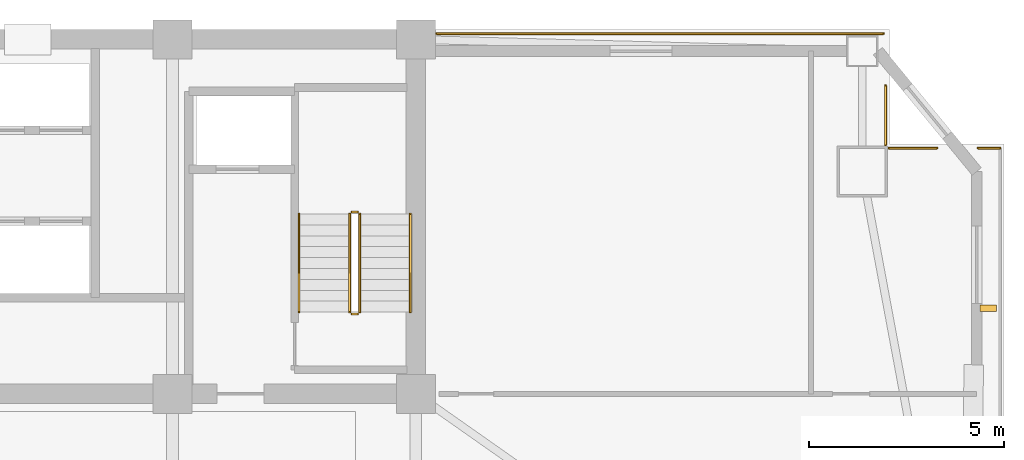
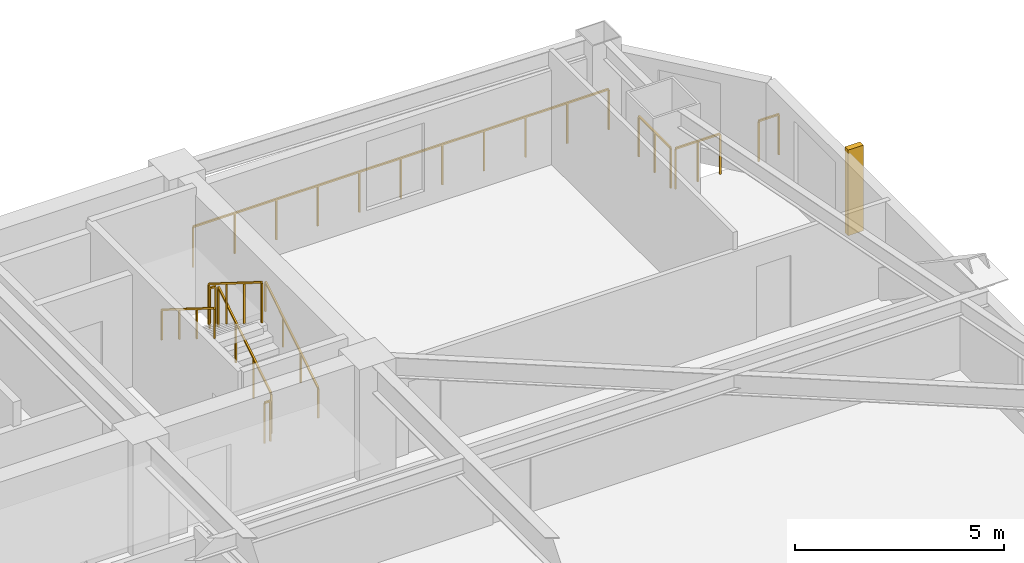
# One storey, part 15 of 15: 10 railings, 1 shading device.
"""IFC4 building model written with IfcOpenShell, lengths in metres."""

from ifc_helpers import new_model, si_unit, direction, frame, origin, origin_2d, place, context, subcontext, project, spatial, rectangle, extrude, source, transform, mapped, material, type_object, element, save


model = new_model("IFC4")

# Units and contexts
model_context = context("Model", 3, precision=1e-05, world=origin(), true_north=direction((0.0, 1.0)))
body_context = subcontext(model_context, "Body", "Model", "MODEL_VIEW")
ifc_project = project(units=[si_unit("LENGTHUNIT", "METRE"), si_unit("AREAUNIT", "SQUARE_METRE"), si_unit("VOLUMEUNIT", "CUBIC_METRE"), si_unit("PLANEANGLEUNIT", "RADIAN"), si_unit("MASSUNIT", "GRAM", prefix="KILO")], contexts=[model_context])

# Site, building, storey
site_placement = place(None, origin())
site = spatial("IfcSite", under=ifc_project, at=site_placement, CompositionType="ELEMENT")
building_placement = place(site_placement, origin())
building = spatial("IfcBuilding", under=site, at=building_placement, Name="Giltprow Tower", CompositionType="ELEMENT")
storey_placement = place(building_placement, frame((0.0, 0.0, 152.699951171875)))
storey = spatial("IfcBuildingStorey", under=building, at=storey_placement, Name="L37", CompositionType="ELEMENT", Elevation=152.699951171875)

# Railings
ifc_material = material(Name="Anodized bronze", Category="metal")
railing_type_1 = type_object("IfcRailingType", Name="RAIL-BALC-GUARD-1200", PredefinedType="BALUSTRADE", material=ifc_material)
railing_1_placement = place(storey_placement, frame((51.0849609375, 46.699951171875, 0.0)))
element("IfcRailing", 1, at=railing_1_placement, inside=storey, type_object=railing_type_1, Name="L37 Corner Apron Edge Balustrade 10", PredefinedType="BALUSTRADE", context=body_context, shape_type="SweptSolid", body=[
    extrude(rectangle(XDim=0.048095703125, YDim=0.048095703125, at=origin_2d()), frame((0.0, 0.0, 1.17578125), z_axis=(1.0, 0.0, 0.0), x_axis=(0.0, 1.0, 0.0)), (0.0, 0.0, 1.0), 11.465087890625),
    extrude(rectangle(XDim=0.0419921875, YDim=0.0419921875, at=origin_2d()), origin(), (0.0, 0.0, 1.0), 1.15185546875),
    extrude(rectangle(XDim=0.0419921875, YDim=0.0419921875, at=origin_2d()), frame((1.146484375, 0.0, 0.0)), (0.0, 0.0, 1.0), 1.15185546875),
    extrude(rectangle(XDim=0.0419921875, YDim=0.0419921875, at=origin_2d()), frame((2.29296875, 0.0, 0.0)), (0.0, 0.0, 1.0), 1.15185546875),
    extrude(rectangle(XDim=0.0419921875, YDim=0.0419921875, at=origin_2d()), frame((3.439453125, 0.0, 0.0)), (0.0, 0.0, 1.0), 1.15185546875),
    extrude(rectangle(XDim=0.0419921875, YDim=0.0419921875, at=origin_2d()), frame((4.5859375, 0.0, 0.0)), (0.0, 0.0, 1.0), 1.15185546875),
    extrude(rectangle(XDim=0.0419921875, YDim=0.0419921875, at=origin_2d()), frame((5.732421875, 0.0, 0.0)), (0.0, 0.0, 1.0), 1.15185546875),
    extrude(rectangle(XDim=0.0419921875, YDim=0.0419921875, at=origin_2d()), frame((6.879150390625, 0.0, 0.0)), (0.0, 0.0, 1.0), 1.15185546875),
    extrude(rectangle(XDim=0.0419921875, YDim=0.0419921875, at=origin_2d()), frame((8.025634765625, 0.0, 0.0)), (0.0, 0.0, 1.0), 1.15185546875),
    extrude(rectangle(XDim=0.0419921875, YDim=0.0419921875, at=origin_2d()), frame((9.172119140625, 0.0, 0.0)), (0.0, 0.0, 1.0), 1.15185546875),
    extrude(rectangle(XDim=0.0419921875, YDim=0.0419921875, at=origin_2d()), frame((10.318603515625, 0.0, 0.0)), (0.0, 0.0, 1.0), 1.15185546875),
    extrude(rectangle(XDim=0.0419921875, YDim=0.0419921875, at=origin_2d()), frame((11.465087890625, 0.0, 0.0)), (0.0, 0.0, 1.0), 1.15185546875),
])
railing_2_placement = place(storey_placement, frame((62.612060546875, 45.361083984375, 0.0)))
element("IfcRailing", 2, at=railing_2_placement, inside=storey, type_object=railing_type_1, Name="L37 Corner Apron Edge Balustrade 11", PredefinedType="BALUSTRADE", context=body_context, shape_type="SweptSolid", body=[
    extrude(rectangle(XDim=0.048095703125, YDim=0.048095703125, at=origin_2d()), frame((0.0, 0.0, 1.17578125), z_axis=(0.0, -1.0, 0.0), x_axis=(1.0, 0.0, 0.0)), (0.0, 0.0, 1.0), 1.51513671875),
    extrude(rectangle(XDim=0.0419921875, YDim=0.0419921875, at=origin_2d()), origin(), (0.0, 0.0, 1.0), 1.15185546875),
    extrude(rectangle(XDim=0.0419921875, YDim=0.0419921875, at=origin_2d()), frame((0.0, -0.757568359375, 0.0)), (0.0, 0.0, 1.0), 1.15185546875),
    extrude(rectangle(XDim=0.0419921875, YDim=0.0419921875, at=origin_2d()), frame((0.0, -1.51513671875, 0.0)), (0.0, 0.0, 1.0), 1.15185546875),
])
railing_3_placement = place(storey_placement, frame((62.697021484375, 43.760986328125, 0.0)))
element("IfcRailing", 3, at=railing_3_placement, inside=storey, type_object=railing_type_1, Name="L37 Corner Apron Edge Balustrade 12", PredefinedType="BALUSTRADE", context=body_context, shape_type="SweptSolid", body=[
    extrude(rectangle(XDim=0.048095703125, YDim=0.048095703125, at=origin_2d()), frame((0.0, 0.0, 1.17578125), z_axis=(1.0, 0.0, 0.0), x_axis=(0.0, 1.0, 0.0)), (0.0, 0.0, 1.0), 1.22998046875),
    extrude(rectangle(XDim=0.0419921875, YDim=0.0419921875, at=origin_2d()), origin(), (0.0, 0.0, 1.0), 1.15185546875),
    extrude(rectangle(XDim=0.0419921875, YDim=0.0419921875, at=origin_2d()), frame((0.614990234375, 0.0, 0.0)), (0.0, 0.0, 1.0), 1.15185546875),
    extrude(rectangle(XDim=0.0419921875, YDim=0.0419921875, at=origin_2d()), frame((1.22998046875, 0.0, 0.0)), (0.0, 0.0, 1.0), 1.15185546875),
])
railing_4_placement = place(storey_placement, frame((64.989013671875, 43.760986328125, 0.0)))
element("IfcRailing", 4, at=railing_4_placement, inside=storey, type_object=railing_type_1, Name="L37 Corner Apron Edge Balustrade 13", PredefinedType="BALUSTRADE", context=body_context, shape_type="SweptSolid", body=[
    extrude(rectangle(XDim=0.048095703125, YDim=0.048095703125, at=origin_2d()), frame((0.0, 0.0, 1.17578125), z_axis=(1.0, 0.0, 0.0), x_axis=(0.0, 1.0, 0.0)), (0.0, 0.0, 1.0), 0.56201171875),
    extrude(rectangle(XDim=0.0419921875, YDim=0.0419921875, at=origin_2d()), origin(), (0.0, 0.0, 1.0), 1.15185546875),
    extrude(rectangle(XDim=0.0419921875, YDim=0.0419921875, at=origin_2d()), frame((0.56201171875, 0.0, 0.0)), (0.0, 0.0, 1.0), 1.15185546875),
])
railing_type_2 = type_object("IfcRailingType", Name="RAIL-STAIR-GUARD-1200", PredefinedType="GUARDRAIL", material=ifc_material)
railing_5_placement = place(storey_placement, frame((49.110107421875, 39.550048828125, 0.175048828125)))
element("IfcRailing", 5, at=railing_5_placement, inside=storey, type_object=railing_type_2, Name="L37 ST-3 stair guard 1", PredefinedType="GUARDRAIL", context=body_context, shape_type="SweptSolid", body=[
    extrude(rectangle(XDim=0.048095703125, YDim=0.048095703125, at=origin_2d()), frame((0.0, 0.0, 1.17578125), z_axis=(0.0, 0.848007534815, 0.529984170421), x_axis=(-1.0, 0.0, 0.0)), (0.0, 0.0, 1.0), 2.9716796875),
    extrude(rectangle(XDim=0.0419921875, YDim=0.0419921875, at=origin_2d()), origin(), (0.0, 0.0, 1.0), 1.15185546875),
    extrude(rectangle(XDim=0.0419921875, YDim=0.0419921875, at=origin_2d()), frame((0.0, 0.840087890625, 0.52490234375)), (0.0, 0.0, 1.0), 1.15185546875),
    extrude(rectangle(XDim=0.0419921875, YDim=0.0419921875, at=origin_2d()), frame((0.0, 1.679931640625, 1.050048828125)), (0.0, 0.0, 1.0), 1.15185546875),
    extrude(rectangle(XDim=0.0419921875, YDim=0.0419921875, at=origin_2d()), frame((0.0, 2.52001953125, 1.574951171875)), (0.0, 0.0, 1.0), 1.15185546875),
])
railing_6_placement = place(storey_placement, frame((49.06005859375, 42.1201171875, 1.75)))
element("IfcRailing", 6, at=railing_6_placement, inside=storey, type_object=railing_type_2, Name="L37 ST-3 stair guard 2", PredefinedType="GUARDRAIL", context=body_context, shape_type="SweptSolid", body=[
    extrude(rectangle(XDim=0.048095703125, YDim=0.048095703125, at=origin_2d()), frame((0.0, 0.0, 1.17578125), z_axis=(-1.0, 0.0, 0.0), x_axis=(0.0, -1.0, 0.0)), (0.0, 0.0, 1.0), 0.16015625),
    extrude(rectangle(XDim=0.0419921875, YDim=0.0419921875, at=origin_2d()), origin(), (0.0, 0.0, 1.0), 1.15185546875),
    extrude(rectangle(XDim=0.0419921875, YDim=0.0419921875, at=origin_2d()), frame((-0.16015625, 0.0, 0.0)), (0.0, 0.0, 1.0), 1.15185546875),
])
railing_7_placement = place(storey_placement, frame((48.85009765625, 42.070068359375, 1.925048828125)))
element("IfcRailing", 7, at=railing_7_placement, inside=storey, type_object=railing_type_2, Name="L37 ST-3 stair guard 3", PredefinedType="GUARDRAIL", context=body_context, shape_type="SweptSolid", body=[
    extrude(rectangle(XDim=0.048095703125, YDim=0.048095703125, at=origin_2d()), frame((0.0, 0.0, 1.17578125), z_axis=(0.0, -0.848007534815, 0.529984170421), x_axis=(1.0, 0.0, 0.0)), (0.0, 0.0, 1.0), 2.9716796875),
    extrude(rectangle(XDim=0.0419921875, YDim=0.0419921875, at=origin_2d()), origin(), (0.0, 0.0, 1.0), 1.15185546875),
    extrude(rectangle(XDim=0.0419921875, YDim=0.0419921875, at=origin_2d()), frame((0.0, -0.840087890625, 0.52490234375)), (0.0, 0.0, 1.0), 1.15185546875),
    extrude(rectangle(XDim=0.0419921875, YDim=0.0419921875, at=origin_2d()), frame((0.0, -1.679931640625, 1.050048828125)), (0.0, 0.0, 1.0), 1.15185546875),
    extrude(rectangle(XDim=0.0419921875, YDim=0.0419921875, at=origin_2d()), frame((0.0, -2.52001953125, 1.574951171875)), (0.0, 0.0, 1.0), 1.15185546875),
])
railing_8_placement = place(storey_placement, frame((49.06005859375, 39.5, 0.0)))
element("IfcRailing", 8, at=railing_8_placement, inside=storey, type_object=railing_type_2, Name="L37 ST-3 stair guard 4", PredefinedType="GUARDRAIL", context=body_context, shape_type="SweptSolid", body=[
    extrude(rectangle(XDim=0.048095703125, YDim=0.048095703125, at=origin_2d()), frame((0.0, 0.0, 1.17578125), z_axis=(-1.0, 0.0, 0.0), x_axis=(0.0, -1.0, 0.0)), (0.0, 0.0, 1.0), 0.16015625),
    extrude(rectangle(XDim=0.0419921875, YDim=0.0419921875, at=origin_2d()), origin(), (0.0, 0.0, 1.0), 1.15185546875),
    extrude(rectangle(XDim=0.0419921875, YDim=0.0419921875, at=origin_2d()), frame((-0.16015625, 0.0, 0.0)), (0.0, 0.0, 1.0), 1.15185546875),
])
railing_type_3 = type_object("IfcRailingType", Name="RAIL-STAIR-HAND-900", PredefinedType="HANDRAIL", material=ifc_material)
railing_9_placement = place(storey_placement, frame((50.409912109375, 39.550048828125, 0.175048828125)))
element("IfcRailing", 9, at=railing_9_placement, inside=storey, type_object=railing_type_3, Name="L37 ST-3 stair handrail 1", PredefinedType="HANDRAIL", context=body_context, shape_type="SweptSolid", body=[
    extrude(rectangle(XDim=0.048095703125, YDim=0.048095703125, at=origin_2d()), frame((0.0, 0.0, 0.8759765625), z_axis=(0.0, 0.848007534815, 0.529984170421), x_axis=(-1.0, 0.0, 0.0)), (0.0, 0.0, 1.0), 2.9716796875),
    extrude(rectangle(XDim=0.0419921875, YDim=0.0419921875, at=origin_2d()), origin(), (0.0, 0.0, 1.0), 0.851806640625),
    extrude(rectangle(XDim=0.0419921875, YDim=0.0419921875, at=origin_2d()), frame((0.0, 0.840087890625, 0.52490234375)), (0.0, 0.0, 1.0), 0.851806640625),
    extrude(rectangle(XDim=0.0419921875, YDim=0.0419921875, at=origin_2d()), frame((0.0, 1.679931640625, 1.050048828125)), (0.0, 0.0, 1.0), 0.851806640625),
    extrude(rectangle(XDim=0.0419921875, YDim=0.0419921875, at=origin_2d()), frame((0.0, 2.52001953125, 1.574951171875)), (0.0, 0.0, 1.0), 0.851806640625),
])
railing_10_placement = place(storey_placement, frame((47.550048828125, 42.070068359375, 1.925048828125)))
element("IfcRailing", 10, at=railing_10_placement, inside=storey, type_object=railing_type_3, Name="L37 ST-3 stair handrail 2", PredefinedType="HANDRAIL", context=body_context, shape_type="SweptSolid", body=[
    extrude(rectangle(XDim=0.048095703125, YDim=0.048095703125, at=origin_2d()), frame((0.0, 0.0, 0.8759765625), z_axis=(0.0, -0.848007534815, 0.529984170421), x_axis=(1.0, 0.0, 0.0)), (0.0, 0.0, 1.0), 2.9716796875),
    extrude(rectangle(XDim=0.0419921875, YDim=0.0419921875, at=origin_2d()), origin(), (0.0, 0.0, 1.0), 0.851806640625),
    extrude(rectangle(XDim=0.0419921875, YDim=0.0419921875, at=origin_2d()), frame((0.0, -0.840087890625, 0.52490234375)), (0.0, 0.0, 1.0), 0.851806640625),
    extrude(rectangle(XDim=0.0419921875, YDim=0.0419921875, at=origin_2d()), frame((0.0, -1.679931640625, 1.050048828125)), (0.0, 0.0, 1.0), 0.851806640625),
    extrude(rectangle(XDim=0.0419921875, YDim=0.0419921875, at=origin_2d()), frame((0.0, -2.52001953125, 1.574951171875)), (0.0, 0.0, 1.0), 0.851806640625),
])

# Shading device
shading_device_type = type_object("IfcShadingDeviceType", Name="SHD-FIN-420", PredefinedType="USERDEFINED", material=ifc_material)
shared_shape = source(origin(), body_context, "Body", "SweptSolid", [
    extrude(rectangle(XDim=0.419921875, YDim=0.159912109375, at=origin_2d()), origin(), (0.0, 0.0, 1.0), 2.5),
])
shading_device_placement = place(storey_placement, frame((65.2509765625, 39.64794921875, 0.35009765625), z_axis=(0.0, 0.0, 1.0), x_axis=(1.0, 0.0, 0.0)))
element("IfcShadingDevice", 11, at=shading_device_placement, inside=storey, type_object=shading_device_type, Name="L37 E Bronze Vertical Fin 2-2", ObjectType="FIN", PredefinedType="USERDEFINED", context=body_context, shape_type="MappedRepresentation", body=[
    mapped(shared_shape, transform((0.0, 0.0, 0.0), x_axis=(1.0, 0.0, 0.0), y_axis=(0.0, 1.0, 0.0), z_axis=(0.0, 0.0, 1.0), scale=1.0)),
])

save(model, "model.ifc")
